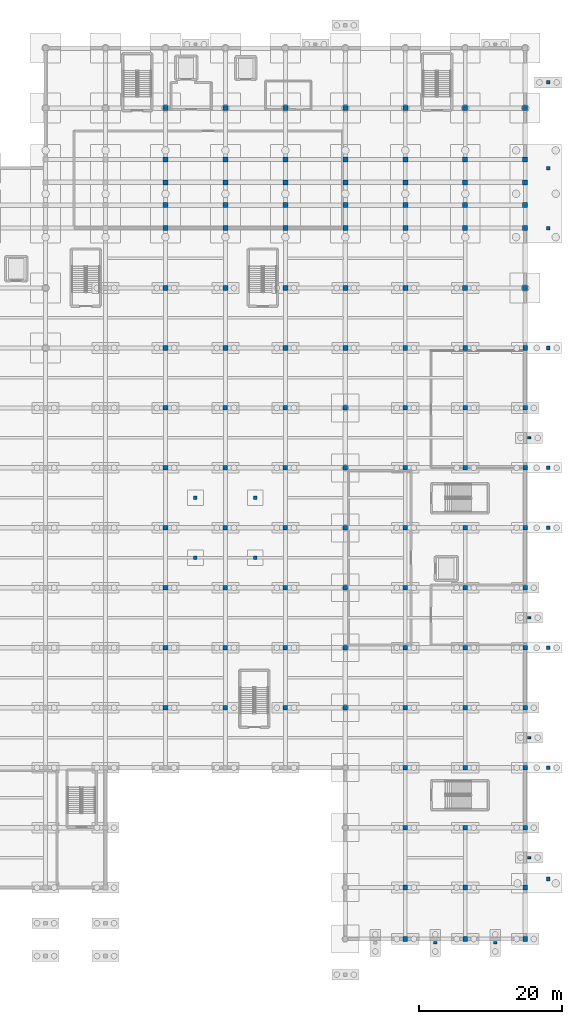
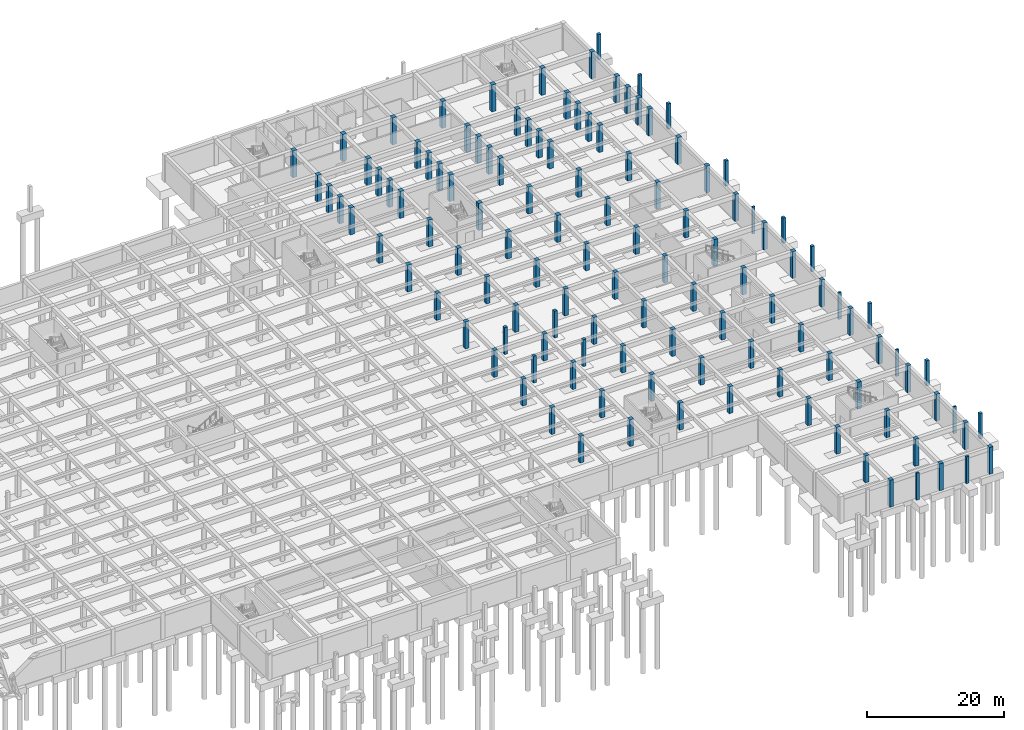
# One storey, part 12 of 51: 122 columns.
"""IFC4 building model written with IfcOpenShell, lengths in metres."""

import ifcopenshell
import ifcopenshell.guid

model = None  # the IFC model being written
_history = None  # IfcOwnerHistory: only IFC2X3 demands one
_inside = {}  # id of a spatial element -> (the spatial element, [elements in it])
_under = {}  # id of a project, library or spatial element -> (it, [spatial elements below it])
_declared = {}  # id of a project -> (the project, [libraries it declares])
_typed = {}  # id of a type object -> (the type object, [elements of that type])
_made_of = {}  # id of a material, layer set ... -> (it, [elements and type objects made of it])


def new_model(schema):
    """Start an empty IFC model of exactly this schema.

    Asked for "IFC4X3", IfcOpenShell would pick the latest addendum, in which some entities
    have other attributes; the version numbers below select the first issue.
    IFC2X3 requires an IfcOwnerHistory on every rooted entity: one is made here for all.
    """
    global model, _history
    if schema == "IFC4X3":
        model = ifcopenshell.file(schema_version=(4, 3, 0, 0))
    else:
        model = ifcopenshell.file(schema=schema)
    _inside.clear()
    _under.clear()
    _declared.clear()
    _typed.clear()
    _made_of.clear()
    _history = None
    if model.schema == "IFC2X3":
        org = make("IfcOrganization", Name="unknown")
        user = make(
            "IfcPersonAndOrganization",
            ThePerson=make("IfcPerson", FamilyName="unknown"),
            TheOrganization=org,
        )
        app = make(
            "IfcApplication",
            ApplicationDeveloper=org,
            Version="unknown",
            ApplicationFullName="unknown",
            ApplicationIdentifier="unknown",
        )
        _history = make(
            "IfcOwnerHistory",
            OwningUser=user,
            OwningApplication=app,
            ChangeAction="ADDED",
            CreationDate=0,
        )
    return model


def make(cls, **values):
    """One entity of the class cls with the attributes given. An attribute that is None is left unset."""
    return model.create_entity(
        cls, **{name: value for name, value in values.items() if value is not None}
    )


def rooted(cls, **values):
    """An entity with a GlobalId (a new one), such as an element, a storey or a relation."""
    return make(cls, GlobalId=ifcopenshell.guid.new(), OwnerHistory=_history, **values)


def si_unit(unit_type, name, prefix=None):
    """IfcSIUnit, for example si_unit("LENGTHUNIT", "METRE", prefix="MILLI")."""
    return make("IfcSIUnit", UnitType=unit_type, Prefix=prefix, Name=name)


def assignment(units):
    """IfcUnitAssignment: the units of a project."""
    return None if units is None else make("IfcUnitAssignment", Units=units)


def point(xyz):
    """IfcCartesianPoint."""
    return None if xyz is None else make("IfcCartesianPoint", Coordinates=xyz)


def direction(xyz):
    """IfcDirection."""
    return None if xyz is None else make("IfcDirection", DirectionRatios=xyz)


def frame(location, z_axis=None, x_axis=None):
    """IfcAxis2Placement3D, a coordinate frame: its origin and axes. An axis left out is left unset."""
    return make(
        "IfcAxis2Placement3D",
        Location=point(location),
        Axis=direction(z_axis),
        RefDirection=direction(x_axis),
    )


def frame_2d(location, x_axis=None):
    """IfcAxis2Placement2D, a coordinate frame in the plane: its origin and x axis."""
    return make(
        "IfcAxis2Placement2D", Location=point(location), RefDirection=direction(x_axis)
    )


def origin():
    """The frame at (0, 0, 0) with its axes left unset."""
    return frame((0.0, 0.0, 0.0))


def origin_2d():
    """The frame at (0, 0) in the plane with its x axis left unset."""
    return frame_2d((0.0, 0.0))


def place(relative_to, where):
    """IfcLocalPlacement: puts the frame where relative to a parent placement (None: the world)."""
    return make(
        "IfcLocalPlacement", PlacementRelTo=relative_to, RelativePlacement=where
    )


def context(
    kind, dimensions, precision=None, world=None, true_north=None, identifier=None
):
    """IfcGeometricRepresentationContext, for example the 3D "Model" context."""
    return make(
        "IfcGeometricRepresentationContext",
        ContextIdentifier=identifier,
        ContextType=kind,
        CoordinateSpaceDimension=dimensions,
        Precision=precision,
        WorldCoordinateSystem=world,
        TrueNorth=true_north,
    )


def subcontext(parent, identifier, kind, view, scale=None):
    """IfcGeometricRepresentationSubContext, for example "Body" below "Model"."""
    return make(
        "IfcGeometricRepresentationSubContext",
        ContextIdentifier=identifier,
        ContextType=kind,
        ParentContext=parent,
        TargetScale=scale,
        TargetView=view,
    )


def project(units=None, contexts=None):
    """IfcProject with its units and contexts."""
    return rooted(
        "IfcProject",
        Name="project",
        RepresentationContexts=contexts,
        UnitsInContext=assignment(units),
    )


def spatial(cls, under=None, at=None, **own):
    """A site, building, storey or space (cls), placed at a placement, below another one or the project."""
    s = rooted(cls, ObjectPlacement=at, **own)
    if under is not None:
        _under.setdefault(under.id(), (under, []))[1].append(s)
    return s


def profile(cls, at=None, kind="AREA", **sizes):
    """A parametric profile (cls). Its sizes go by their IFC names, for example OverallWidth=200.0."""
    return make(cls, ProfileType=kind, Position=at, **sizes)


def rectangle(**sizes):
    """IfcRectangleProfileDef."""
    return profile("IfcRectangleProfileDef", **sizes)


def extrude(swept, where, along, depth):
    """IfcExtrudedAreaSolid: the profile swept, set in the frame where, extruded along a direction by depth."""
    return make(
        "IfcExtrudedAreaSolid",
        SweptArea=swept,
        Position=where,
        ExtrudedDirection=direction(along),
        Depth=depth,
    )


def shape(context_of_items, identifier, shape_type, items):
    """IfcShapeRepresentation: the items that make up one representation, for example the "Body"."""
    return make(
        "IfcShapeRepresentation",
        ContextOfItems=context_of_items,
        RepresentationIdentifier=identifier,
        RepresentationType=shape_type,
        Items=items,
    )


def material(Name=None, Category=None):
    """IfcMaterial."""
    return make("IfcMaterial", Name=Name, Category=Category)


def material_profile(
    of_material, cross_section, Name=None, Category=None, Priority=None
):
    """IfcMaterialProfile: a cross section and its material."""
    return make(
        "IfcMaterialProfile",
        Name=Name,
        Material=of_material,
        Profile=cross_section,
        Priority=Priority,
        Category=Category,
    )


def profile_set(profiles, Name=None, composite=None):
    """IfcMaterialProfileSet."""
    return make(
        "IfcMaterialProfileSet",
        Name=Name,
        MaterialProfiles=profiles,
        CompositeProfile=composite,
    )


def made_of(thing, what):
    """Note that an element or type object is made of a material, layer set ...; save() writes the relation."""
    if what is not None:
        _made_of.setdefault(what.id(), (what, []))[1].append(thing)
    return thing


def type_object(cls, material=None, **own):
    """A type object (cls), such as IfcWallType, which elements share."""
    return made_of(rooted(cls, **own), material)


def element(
    cls,
    number,
    at=None,
    inside=None,
    cuts=None,
    type_object=None,
    material=None,
    context=None,
    identifier="Body",
    shape_type=None,
    held_by="IfcProductDefinitionShape",
    body=None,
    shapes=None,
    **own,
):
    """One element of the class cls, such as IfcWall. Its Tag is "e" and its number.

    at: its placement. inside: the storey or other place that contains it. cuts: it is an
    opening in that element (IfcRelVoidsElement). A single representation is given by context,
    identifier, shape_type and body (its items); several are given by shapes. held_by: the class
    of the entity that holds the representations. save() writes the other relations.
    """
    e = rooted(cls, Tag="e%d" % number, ObjectPlacement=at, **own)
    if body is not None:
        shapes = [shape(context, identifier, shape_type, body)]
    if shapes is not None:
        e.Representation = make(held_by, Representations=shapes)
    if inside is not None:
        _inside.setdefault(inside.id(), (inside, []))[1].append(e)
    if cuts is not None:
        rooted(
            "IfcRelVoidsElement", RelatingBuildingElement=cuts, RelatedOpeningElement=e
        )
    if type_object is not None:
        _typed.setdefault(type_object.id(), (type_object, []))[1].append(e)
    return made_of(e, material)


def aggregate(whole, parts):
    """IfcRelAggregates: a whole, such as a stair, and the parts it consists of."""
    return rooted("IfcRelAggregates", RelatingObject=whole, RelatedObjects=parts)


def save(model, path):
    """Write the relations noted so far, then the file.

    IfcRelAggregates (storeys below a building ...), IfcRelContainedInSpatialStructure (elements
    in a storey), IfcRelDefinesByType, IfcRelAssociatesMaterial and IfcRelDeclares: one each for
    every whole, place, type object, material and project.
    """
    for whole, parts in _under.values():
        aggregate(whole, parts)
    for where, things in _inside.values():
        rooted(
            "IfcRelContainedInSpatialStructure",
            RelatedElements=things,
            RelatingStructure=where,
        )
    for kind, things in _typed.values():
        rooted("IfcRelDefinesByType", RelatedObjects=things, RelatingType=kind)
    for what, things in _made_of.values():
        rooted("IfcRelAssociatesMaterial", RelatedObjects=things, RelatingMaterial=what)
    for by, libraries in _declared.values():
        rooted("IfcRelDeclares", RelatingContext=by, RelatedDefinitions=libraries)
    model.write(path)


model = new_model("IFC4")

# Units and contexts
model_context = context("Model", 3, precision=1e-05, world=origin(), true_north=direction((0.0, 1.0)))
body_context = subcontext(model_context, "Body", "Model", "MODEL_VIEW")
ifc_project = project(units=[si_unit("LENGTHUNIT", "METRE"), si_unit("AREAUNIT", "SQUARE_METRE"), si_unit("VOLUMEUNIT", "CUBIC_METRE"), si_unit("PLANEANGLEUNIT", "RADIAN"), si_unit("MASSUNIT", "GRAM", prefix="KILO")], contexts=[model_context])

# Site, building, storey
site_placement = place(None, origin())
site = spatial("IfcSite", under=ifc_project, at=site_placement, CompositionType="ELEMENT")
building_placement = place(site_placement, origin())
building = spatial("IfcBuilding", under=site, at=building_placement, Name="Varncliffe General Hospital", CompositionType="ELEMENT")
storey_placement = place(building_placement, frame((0.0, 0.0, -4.800048828125)))
storey = spatial("IfcBuildingStorey", under=building, at=storey_placement, Name="B1", CompositionType="ELEMENT", Elevation=-4.800048828125)

# Columns
ifc_material_1 = material(Name="Concrete C40/50 (CSA A23.1 40 MPa)", Category="concrete")
ifc_material_profile_1 = material_profile(ifc_material_1, rectangle(XDim=0.64990234375, YDim=0.64990234375, at=origin_2d()), Name="RC 650x650")
ifc_profile_set_1 = profile_set([ifc_material_profile_1], Name="Concrete C40/50 (CSA A23.1 40 MPa)")
column_type_1 = type_object("IfcColumnType", Name="Column C21 (Ext RC 650x650)", PredefinedType="COLUMN", material=ifc_profile_set_1)
for number, where, z_axis, x_axis, name in (
    (1, (159.60009765625, 0.0, 0.0), (0.0, 0.0, 1.0), (1.0, 0.0, 0.0), "B1 Column C21"),
    (2, (168.0, 0.0, 0.0), (0.0, 0.0, 1.0), (1.0, 0.0, 0.0), "B1 Column C21"),
    (3, (176.39990234375, 0.0, 0.0), (0.0, 0.0, 1.0), (1.0, 0.0, 0.0), "B1 Column C21"),
    (4, (176.39990234375, 7.199951171875, 0.0), (0.0, 0.0, 1.0), (1.0, 0.0, 0.0), "B1 Column C21"),
    (5, (176.39990234375, 15.60009765625, 0.0), (0.0, 0.0, 1.0), (1.0, 0.0, 0.0), "B1 Column C21"),
    (6, (176.39990234375, 24.0, 0.0), (0.0, 0.0, 1.0), (1.0, 0.0, 0.0), "B1 Column C21"),
    (7, (176.39990234375, 32.39990234375, 0.0), (0.0, 0.0, 1.0), (1.0, 0.0, 0.0), "B1 Column C21"),
    (8, (176.39990234375, 40.800048828125, 0.0), (0.0, 0.0, 1.0), (1.0, 0.0, 0.0), "B1 Column C21"),
    (9, (176.39990234375, 49.199951171875, 0.0), (0.0, 0.0, 1.0), (1.0, 0.0, 0.0), "B1 Column C21"),
    (10, (176.39990234375, 57.60009765625, 0.0), (0.0, 0.0, 1.0), (1.0, 0.0, 0.0), "B1 Column C21"),
    (11, (176.39990234375, 66.0, 0.0), (0.0, 0.0, 1.0), (1.0, 0.0, 0.0), "B1 Column C21"),
    (12, (176.39990234375, 74.39990234375, 0.0), (0.0, 0.0, 1.0), (1.0, 0.0, 0.0), "B1 Column C21"),
    (13, (176.39990234375, 82.800048828125, 0.0), (0.0, 0.0, 1.0), (1.0, 0.0, 0.0), "B1 Column C21"),
):
    element("IfcColumn", number, at=place(storey_placement, frame(where, z_axis=z_axis, x_axis=x_axis)), inside=storey, type_object=column_type_1, Name=name, PredefinedType="COLUMN", context=body_context, shape_type="SweptSolid", body=[
        extrude(rectangle(XDim=0.64990234375, YDim=0.64990234375, at=origin_2d()), origin(), (0.0, 0.0, 1.0), 4.800048828125),
    ])
ifc_material_profile_2 = material_profile(ifc_material_1, rectangle(XDim=0.64990234375, YDim=0.64990234375, at=origin_2d()), Name="RC 650x650")
ifc_profile_set_2 = profile_set([ifc_material_profile_2], Name="Concrete C40/50 (CSA A23.1 40 MPa)")
column_type_2 = type_object("IfcColumnType", Name="Column C29 (Int RC 650x650)", PredefinedType="COLUMN", material=ifc_profile_set_2)
for number, where, z_axis, x_axis, name in (
    (14, (126.0, 32.39990234375, 0.0), (0.0, 0.0, 1.0), (1.0, 0.0, 0.0), "B1 Column C29"),
    (15, (126.0, 40.800048828125, 0.0), (0.0, 0.0, 1.0), (1.0, 0.0, 0.0), "B1 Column C29"),
    (16, (126.0, 49.199951171875, 0.0), (0.0, 0.0, 1.0), (1.0, 0.0, 0.0), "B1 Column C29"),
    (17, (126.0, 57.60009765625, 0.0), (0.0, 0.0, 1.0), (1.0, 0.0, 0.0), "B1 Column C29"),
    (18, (126.0, 66.0, 0.0), (0.0, 0.0, 1.0), (1.0, 0.0, 0.0), "B1 Column C29"),
    (19, (126.0, 74.39990234375, 0.0), (0.0, 0.0, 1.0), (1.0, 0.0, 0.0), "B1 Column C29"),
    (20, (134.39990234375, 32.39990234375, 0.0), (0.0, 0.0, 1.0), (1.0, 0.0, 0.0), "B1 Column C29"),
    (21, (134.39990234375, 40.800048828125, 0.0), (0.0, 0.0, 1.0), (1.0, 0.0, 0.0), "B1 Column C29"),
    (22, (134.39990234375, 49.199951171875, 0.0), (0.0, 0.0, 1.0), (1.0, 0.0, 0.0), "B1 Column C29"),
    (23, (134.39990234375, 57.60009765625, 0.0), (0.0, 0.0, 1.0), (1.0, 0.0, 0.0), "B1 Column C29"),
    (24, (134.39990234375, 66.0, 0.0), (0.0, 0.0, 1.0), (1.0, 0.0, 0.0), "B1 Column C29"),
    (25, (134.39990234375, 74.39990234375, 0.0), (0.0, 0.0, 1.0), (1.0, 0.0, 0.0), "B1 Column C29"),
    (26, (142.800048828125, 32.39990234375, 0.0), (0.0, 0.0, 1.0), (1.0, 0.0, 0.0), "B1 Column C29"),
    (27, (142.800048828125, 40.800048828125, 0.0), (0.0, 0.0, 1.0), (1.0, 0.0, 0.0), "B1 Column C29"),
    (28, (142.800048828125, 49.199951171875, 0.0), (0.0, 0.0, 1.0), (1.0, 0.0, 0.0), "B1 Column C29"),
    (29, (142.800048828125, 57.60009765625, 0.0), (0.0, 0.0, 1.0), (1.0, 0.0, 0.0), "B1 Column C29"),
    (30, (142.800048828125, 66.0, 0.0), (0.0, 0.0, 1.0), (1.0, 0.0, 0.0), "B1 Column C29"),
    (31, (142.800048828125, 74.39990234375, 0.0), (0.0, 0.0, 1.0), (1.0, 0.0, 0.0), "B1 Column C29"),
    (32, (151.199951171875, 32.39990234375, 0.0), (0.0, 0.0, 1.0), (1.0, 0.0, 0.0), "B1 Column C29"),
    (33, (151.199951171875, 40.800048828125, 0.0), (0.0, 0.0, 1.0), (1.0, 0.0, 0.0), "B1 Column C29"),
    (34, (151.199951171875, 49.199951171875, 0.0), (0.0, 0.0, 1.0), (1.0, 0.0, 0.0), "B1 Column C29"),
    (35, (151.199951171875, 57.60009765625, 0.0), (0.0, 0.0, 1.0), (1.0, 0.0, 0.0), "B1 Column C29"),
    (36, (151.199951171875, 66.0, 0.0), (0.0, 0.0, 1.0), (1.0, 0.0, 0.0), "B1 Column C29"),
    (37, (151.199951171875, 74.39990234375, 0.0), (0.0, 0.0, 1.0), (1.0, 0.0, 0.0), "B1 Column C29"),
    (38, (159.60009765625, 7.199951171875, 0.0), (0.0, 0.0, 1.0), (1.0, 0.0, 0.0), "B1 Column C29"),
    (39, (159.60009765625, 15.60009765625, 0.0), (0.0, 0.0, 1.0), (1.0, 0.0, 0.0), "B1 Column C29"),
    (40, (159.60009765625, 24.0, 0.0), (0.0, 0.0, 1.0), (1.0, 0.0, 0.0), "B1 Column C29"),
    (41, (159.60009765625, 32.39990234375, 0.0), (0.0, 0.0, 1.0), (1.0, 0.0, 0.0), "B1 Column C29"),
    (42, (159.60009765625, 40.800048828125, 0.0), (0.0, 0.0, 1.0), (1.0, 0.0, 0.0), "B1 Column C29"),
    (43, (159.60009765625, 49.199951171875, 0.0), (0.0, 0.0, 1.0), (1.0, 0.0, 0.0), "B1 Column C29"),
    (44, (159.60009765625, 57.60009765625, 0.0), (0.0, 0.0, 1.0), (1.0, 0.0, 0.0), "B1 Column C29"),
    (45, (159.60009765625, 66.0, 0.0), (0.0, 0.0, 1.0), (1.0, 0.0, 0.0), "B1 Column C29"),
    (46, (159.60009765625, 74.39990234375, 0.0), (0.0, 0.0, 1.0), (1.0, 0.0, 0.0), "B1 Column C29"),
    (47, (159.60009765625, 82.800048828125, 0.0), (0.0, 0.0, 1.0), (1.0, 0.0, 0.0), "B1 Column C29"),
    (48, (168.0, 7.199951171875, 0.0), (0.0, 0.0, 1.0), (1.0, 0.0, 0.0), "B1 Column C29"),
    (49, (168.0, 15.60009765625, 0.0), (0.0, 0.0, 1.0), (1.0, 0.0, 0.0), "B1 Column C29"),
    (50, (168.0, 24.0, 0.0), (0.0, 0.0, 1.0), (1.0, 0.0, 0.0), "B1 Column C29"),
    (51, (168.0, 32.39990234375, 0.0), (0.0, 0.0, 1.0), (1.0, 0.0, 0.0), "B1 Column C29"),
    (52, (168.0, 40.800048828125, 0.0), (0.0, 0.0, 1.0), (1.0, 0.0, 0.0), "B1 Column C29"),
    (53, (168.0, 49.199951171875, 0.0), (0.0, 0.0, 1.0), (1.0, 0.0, 0.0), "B1 Column C29"),
    (54, (168.0, 57.60009765625, 0.0), (0.0, 0.0, 1.0), (1.0, 0.0, 0.0), "B1 Column C29"),
    (55, (168.0, 66.0, 0.0), (0.0, 0.0, 1.0), (1.0, 0.0, 0.0), "B1 Column C29"),
    (56, (168.0, 74.39990234375, 0.0), (0.0, 0.0, 1.0), (1.0, 0.0, 0.0), "B1 Column C29"),
    (57, (168.0, 82.800048828125, 0.0), (0.0, 0.0, 1.0), (1.0, 0.0, 0.0), "B1 Column C29"),
):
    element("IfcColumn", number, at=place(storey_placement, frame(where, z_axis=z_axis, x_axis=x_axis)), inside=storey, type_object=column_type_2, Name=name, PredefinedType="COLUMN", context=body_context, shape_type="SweptSolid", body=[
        extrude(rectangle(XDim=0.64990234375, YDim=0.64990234375, at=origin_2d()), origin(), (0.0, 0.0, 1.0), 4.800048828125),
    ])
ifc_material_profile_3 = material_profile(ifc_material_1, rectangle(XDim=0.699951171875, YDim=0.699951171875, at=origin_2d()), Name="RC 700x700")
ifc_profile_set_3 = profile_set([ifc_material_profile_3], Name="Concrete C40/50 (CSA A23.1 40 MPa)")
column_type_3 = type_object("IfcColumnType", Name="Column C50 (Int RC 700x700)", PredefinedType="COLUMN", material=ifc_profile_set_3)
for number, where, z_axis, x_axis, name in (
    (58, (126.0, 82.800048828125, 0.0), (0.0, 0.0, 1.0), (1.0, 0.0, 0.0), "B1 Column C50"),
    (59, (126.0, 91.199951171875, 0.0), (0.0, 0.0, 1.0), (1.0, 0.0, 0.0), "B1 Column C50"),
    (60, (126.0, 99.60009765625, 0.0), (0.0, 0.0, 1.0), (1.0, 0.0, 0.0), "B1 Column C50"),
    (61, (126.0, 102.800048828125, 0.0), (0.0, 0.0, 1.0), (1.0, 0.0, 0.0), "B1 Column C50"),
    (62, (126.0, 106.0, 0.0), (0.0, 0.0, 1.0), (1.0, 0.0, 0.0), "B1 Column C50"),
    (63, (126.0, 109.199951171875, 0.0), (0.0, 0.0, 1.0), (1.0, 0.0, 0.0), "B1 Column C50"),
    (64, (126.0, 116.39990234375, 0.0), (0.0, 0.0, 1.0), (1.0, 0.0, 0.0), "B1 Column C50"),
    (65, (134.39990234375, 82.800048828125, 0.0), (0.0, 0.0, 1.0), (1.0, 0.0, 0.0), "B1 Column C50"),
    (66, (134.39990234375, 91.199951171875, 0.0), (0.0, 0.0, 1.0), (1.0, 0.0, 0.0), "B1 Column C50"),
    (67, (134.39990234375, 99.60009765625, 0.0), (0.0, 0.0, 1.0), (1.0, 0.0, 0.0), "B1 Column C50"),
    (68, (134.39990234375, 102.800048828125, 0.0), (0.0, 0.0, 1.0), (1.0, 0.0, 0.0), "B1 Column C50"),
    (69, (134.39990234375, 106.0, 0.0), (0.0, 0.0, 1.0), (1.0, 0.0, 0.0), "B1 Column C50"),
    (70, (134.39990234375, 109.199951171875, 0.0), (0.0, 0.0, 1.0), (1.0, 0.0, 0.0), "B1 Column C50"),
    (71, (134.39990234375, 116.39990234375, 0.0), (0.0, 0.0, 1.0), (1.0, 0.0, 0.0), "B1 Column C50"),
    (72, (142.800048828125, 82.800048828125, 0.0), (0.0, 0.0, 1.0), (1.0, 0.0, 0.0), "B1 Column C50"),
    (73, (142.800048828125, 91.199951171875, 0.0), (0.0, 0.0, 1.0), (1.0, 0.0, 0.0), "B1 Column C50"),
    (74, (142.800048828125, 99.60009765625, 0.0), (0.0, 0.0, 1.0), (1.0, 0.0, 0.0), "B1 Column C50"),
    (75, (142.800048828125, 102.800048828125, 0.0), (0.0, 0.0, 1.0), (1.0, 0.0, 0.0), "B1 Column C50"),
    (76, (142.800048828125, 106.0, 0.0), (0.0, 0.0, 1.0), (1.0, 0.0, 0.0), "B1 Column C50"),
    (77, (142.800048828125, 109.199951171875, 0.0), (0.0, 0.0, 1.0), (1.0, 0.0, 0.0), "B1 Column C50"),
    (78, (142.800048828125, 116.39990234375, 0.0), (0.0, 0.0, 1.0), (1.0, 0.0, 0.0), "B1 Column C50"),
    (79, (151.199951171875, 82.800048828125, 0.0), (0.0, 0.0, 1.0), (1.0, 0.0, 0.0), "B1 Column C50"),
    (80, (151.199951171875, 91.199951171875, 0.0), (0.0, 0.0, 1.0), (1.0, 0.0, 0.0), "B1 Column C50"),
    (81, (151.199951171875, 99.60009765625, 0.0), (0.0, 0.0, 1.0), (1.0, 0.0, 0.0), "B1 Column C50"),
    (82, (151.199951171875, 102.800048828125, 0.0), (0.0, 0.0, 1.0), (1.0, 0.0, 0.0), "B1 Column C50"),
    (83, (151.199951171875, 106.0, 0.0), (0.0, 0.0, 1.0), (1.0, 0.0, 0.0), "B1 Column C50"),
    (84, (151.199951171875, 109.199951171875, 0.0), (0.0, 0.0, 1.0), (1.0, 0.0, 0.0), "B1 Column C50"),
    (85, (151.199951171875, 116.39990234375, 0.0), (0.0, 0.0, 1.0), (1.0, 0.0, 0.0), "B1 Column C50"),
    (86, (159.60009765625, 91.199951171875, 0.0), (0.0, 0.0, 1.0), (1.0, 0.0, 0.0), "B1 Column C50"),
    (87, (159.60009765625, 99.60009765625, 0.0), (0.0, 0.0, 1.0), (1.0, 0.0, 0.0), "B1 Column C50"),
    (88, (159.60009765625, 102.800048828125, 0.0), (0.0, 0.0, 1.0), (1.0, 0.0, 0.0), "B1 Column C50"),
    (89, (159.60009765625, 106.0, 0.0), (0.0, 0.0, 1.0), (1.0, 0.0, 0.0), "B1 Column C50"),
    (90, (159.60009765625, 109.199951171875, 0.0), (0.0, 0.0, 1.0), (1.0, 0.0, 0.0), "B1 Column C50"),
    (91, (159.60009765625, 116.39990234375, 0.0), (0.0, 0.0, 1.0), (1.0, 0.0, 0.0), "B1 Column C50"),
    (92, (168.0, 91.199951171875, 0.0), (0.0, 0.0, 1.0), (1.0, 0.0, 0.0), "B1 Column C50"),
    (93, (168.0, 99.60009765625, 0.0), (0.0, 0.0, 1.0), (1.0, 0.0, 0.0), "B1 Column C50"),
    (94, (168.0, 102.800048828125, 0.0), (0.0, 0.0, 1.0), (1.0, 0.0, 0.0), "B1 Column C50"),
    (95, (168.0, 106.0, 0.0), (0.0, 0.0, 1.0), (1.0, 0.0, 0.0), "B1 Column C50"),
    (96, (168.0, 109.199951171875, 0.0), (0.0, 0.0, 1.0), (1.0, 0.0, 0.0), "B1 Column C50"),
    (97, (168.0, 116.39990234375, 0.0), (0.0, 0.0, 1.0), (1.0, 0.0, 0.0), "B1 Column C50"),
):
    element("IfcColumn", number, at=place(storey_placement, frame(where, z_axis=z_axis, x_axis=x_axis)), inside=storey, type_object=column_type_3, Name=name, PredefinedType="COLUMN", context=body_context, shape_type="SweptSolid", body=[
        extrude(rectangle(XDim=0.699951171875, YDim=0.699951171875, at=origin_2d()), origin(), (0.0, 0.0, 1.0), 4.800048828125),
    ])
ifc_material_profile_4 = material_profile(ifc_material_1, rectangle(XDim=0.699951171875, YDim=0.699951171875, at=origin_2d()), Name="RC 700x700")
ifc_profile_set_4 = profile_set([ifc_material_profile_4], Name="Concrete C40/50 (CSA A23.1 40 MPa)")
column_type_4 = type_object("IfcColumnType", Name="Column C54 (Ext RC 700x700)", PredefinedType="COLUMN", material=ifc_profile_set_4)
for number, where, z_axis, x_axis, name in (
    (98, (176.39990234375, 91.199951171875, 0.0), (0.0, 0.0, 1.0), (1.0, 0.0, 0.0), "B1 Column C54"),
    (99, (176.39990234375, 99.60009765625, 0.0), (0.0, 0.0, 1.0), (1.0, 0.0, 0.0), "B1 Column C54"),
    (100, (176.39990234375, 102.800048828125, 0.0), (0.0, 0.0, 1.0), (1.0, 0.0, 0.0), "B1 Column C54"),
    (101, (176.39990234375, 106.0, 0.0), (0.0, 0.0, 1.0), (1.0, 0.0, 0.0), "B1 Column C54"),
    (102, (176.39990234375, 109.199951171875, 0.0), (0.0, 0.0, 1.0), (1.0, 0.0, 0.0), "B1 Column C54"),
    (103, (176.39990234375, 116.39990234375, 0.0), (0.0, 0.0, 1.0), (1.0, 0.0, 0.0), "B1 Column C54"),
):
    element("IfcColumn", number, at=place(storey_placement, frame(where, z_axis=z_axis, x_axis=x_axis)), inside=storey, type_object=column_type_4, Name=name, PredefinedType="COLUMN", context=body_context, shape_type="SweptSolid", body=[
        extrude(rectangle(XDim=0.699951171875, YDim=0.699951171875, at=origin_2d()), origin(), (0.0, 0.0, 1.0), 4.800048828125),
    ])
ifc_material_profile_5 = material_profile(ifc_material_1, rectangle(XDim=0.5, YDim=0.5, at=origin_2d()), Name="RC 500x500")
ifc_profile_set_5 = profile_set([ifc_material_profile_5], Name="Concrete C40/50 (CSA A23.1 40 MPa)")
column_type_5 = type_object("IfcColumnType", Name="Column C65 (Ext RC 500x500)", PredefinedType="COLUMN", material=ifc_profile_set_5)
for number, where, z_axis, x_axis, name in (
    (104, (179.60009765625, 8.39990234375, 0.0), (0.0, 0.0, 1.0), (1.0, 0.0, 0.0), "B1 Perimeter Walkway Support Pier"),
    (105, (179.60009765625, 24.0, 0.0), (0.0, 0.0, 1.0), (1.0, 0.0, 0.0), "B1 Perimeter Walkway Support Pier"),
    (106, (179.60009765625, 40.800048828125, 0.0), (0.0, 0.0, 1.0), (1.0, 0.0, 0.0), "B1 Perimeter Walkway Support Pier"),
    (107, (179.60009765625, 57.60009765625, 0.0), (0.0, 0.0, 1.0), (1.0, 0.0, 0.0), "B1 Perimeter Walkway Support Pier"),
    (108, (179.60009765625, 66.0, 0.0), (0.0, 0.0, 1.0), (1.0, 0.0, 0.0), "B1 Perimeter Walkway Support Pier"),
    (109, (179.60009765625, 82.800048828125, 0.0), (0.0, 0.0, 1.0), (1.0, 0.0, 0.0), "B1 Perimeter Walkway Support Pier"),
    (110, (179.60009765625, 99.60009765625, 0.0), (0.0, 0.0, 1.0), (1.0, 0.0, 0.0), "B1 Perimeter Walkway Support Pier"),
    (111, (179.60009765625, 108.0, 0.0), (0.0, 0.0, 1.0), (1.0, 0.0, 0.0), "B1 Perimeter Walkway Support Pier"),
    (112, (179.60009765625, 120.0, 0.0), (0.0, 0.0, 1.0), (1.0, 0.0, 0.0), "B1 Perimeter Walkway Support Pier"),
):
    element("IfcColumn", number, at=place(storey_placement, frame(where, z_axis=z_axis, x_axis=x_axis)), inside=storey, type_object=column_type_5, Name=name, PredefinedType="COLUMN", context=body_context, shape_type="SweptSolid", body=[
        extrude(rectangle(XDim=0.5, YDim=0.5, at=origin_2d()), origin(), (0.0, 0.0, 1.0), 4.52001953125),
    ])
ifc_material_profile_6 = material_profile(ifc_material_1, rectangle(XDim=0.5, YDim=0.5, at=origin_2d()), Name="RC 500x500")
ifc_profile_set_6 = profile_set([ifc_material_profile_6], Name="Concrete C40/50 (CSA A23.1 40 MPa)")
column_type_6 = type_object("IfcColumnType", Name="Column C90 (Int RC 500x500)", PredefinedType="COLUMN", material=ifc_profile_set_6)
for number, where, z_axis, x_axis, name in (
    (113, (130.199951171875, 53.39990234375, 0.0), (0.0, 0.0, 1.0), (1.0, 0.0, 0.0), "B1 Cloister Support Pier 5"),
    (114, (138.60009765625, 53.39990234375, 0.0), (0.0, 0.0, 1.0), (1.0, 0.0, 0.0), "B1 Cloister Support Pier 6"),
    (115, (130.199951171875, 61.800048828125, 0.0), (0.0, 0.0, 1.0), (1.0, 0.0, 0.0), "B1 Cloister Support Pier 7"),
    (116, (138.60009765625, 61.800048828125, 0.0), (0.0, 0.0, 1.0), (1.0, 0.0, 0.0), "B1 Cloister Support Pier 8"),
):
    element("IfcColumn", number, at=place(storey_placement, frame(where, z_axis=z_axis, x_axis=x_axis)), inside=storey, type_object=column_type_6, Name=name, PredefinedType="COLUMN", context=body_context, shape_type="SweptSolid", body=[
        extrude(rectangle(XDim=0.5, YDim=0.5, at=origin_2d()), origin(), (0.0, 0.0, 1.0), 4.800048828125),
    ])
ifc_material_2 = material(Name="Precast concrete C40/50", Category="concrete")
ifc_material_profile_7 = material_profile(ifc_material_2, rectangle(XDim=0.5, YDim=0.320068359375, at=origin_2d()), Name="PIL 500x320")
ifc_profile_set_7 = profile_set([ifc_material_profile_7], Name="Precast concrete C40/50")
column_type_7 = type_object("IfcColumnType", Name="Pilaster PL14 (PIL 500x320)", PredefinedType="PILASTER", material=ifc_profile_set_7)
for number, where, z_axis, x_axis, name in (
    (117, (163.800048828125, -0.550048828125, 0.0), (0.0, 0.0, 1.0), (1.0, 0.0, 0.0), "B1 Facade Pilaster PL14-2"),
    (118, (172.199951171875, -0.550048828125, 0.0), (0.0, 0.0, 1.0), (1.0, 0.0, 0.0), "B1 Facade Pilaster PL14-3"),
):
    element("IfcColumn", number, at=place(storey_placement, frame(where, z_axis=z_axis, x_axis=x_axis)), inside=storey, type_object=column_type_7, Name=name, PredefinedType="PILASTER", context=body_context, shape_type="SweptSolid", body=[
        extrude(rectangle(XDim=0.5, YDim=0.320068359375, at=origin_2d()), origin(), (0.0, 0.0, 1.0), 4.800048828125),
    ])
ifc_material_profile_8 = material_profile(ifc_material_2, rectangle(XDim=0.449951171875, YDim=0.280029296875, at=origin_2d()), Name="PIL 450x280")
ifc_profile_set_8 = profile_set([ifc_material_profile_8], Name="Precast concrete C40/50")
column_type_8 = type_object("IfcColumnType", Name="Pilaster PL64 (PIL 450x280)", PredefinedType="PILASTER", material=ifc_profile_set_8)
for number, where, z_axis, x_axis, name in (
    (119, (176.949951171875, 11.39990234375, 0.0), (0.0, 0.0, 1.0), (1.0, 0.0, 0.0), "B1 Facade Pilaster PL64-8"),
    (120, (176.949951171875, 28.199951171875, 0.0), (0.0, 0.0, 1.0), (1.0, 0.0, 0.0), "B1 Facade Pilaster PL64-9"),
    (121, (176.949951171875, 45.0, 0.0), (0.0, 0.0, 1.0), (1.0, 0.0, 0.0), "B1 Facade Pilaster PL64-10"),
    (122, (176.949951171875, 70.199951171875, 0.0), (0.0, 0.0, 1.0), (1.0, 0.0, 0.0), "B1 Facade Pilaster PL64-11"),
):
    element("IfcColumn", number, at=place(storey_placement, frame(where, z_axis=z_axis, x_axis=x_axis)), inside=storey, type_object=column_type_8, Name=name, PredefinedType="PILASTER", context=body_context, shape_type="SweptSolid", body=[
        extrude(rectangle(XDim=0.449951171875, YDim=0.280029296875, at=origin_2d()), origin(), (0.0, 0.0, 1.0), 4.800048828125),
    ])

save(model, "model.ifc")
